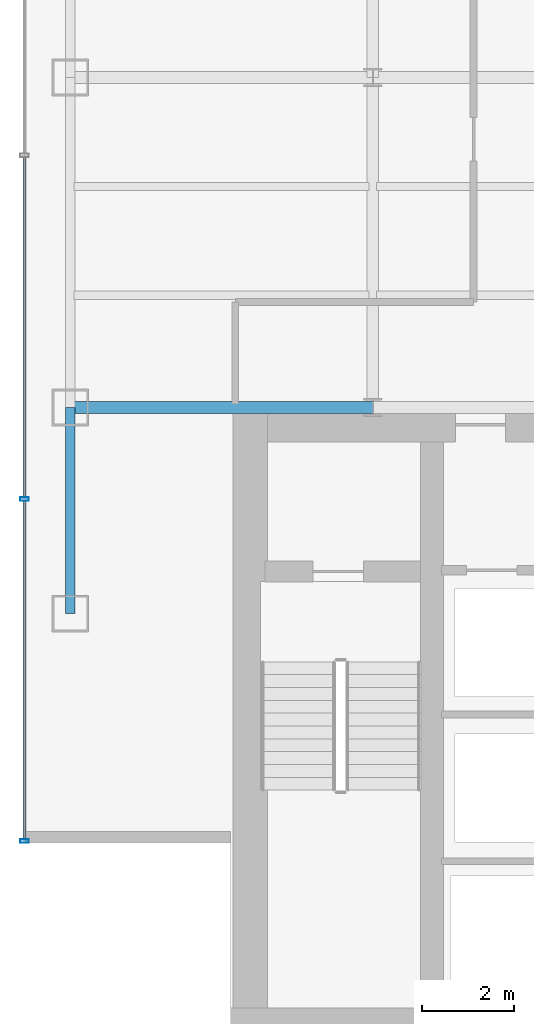
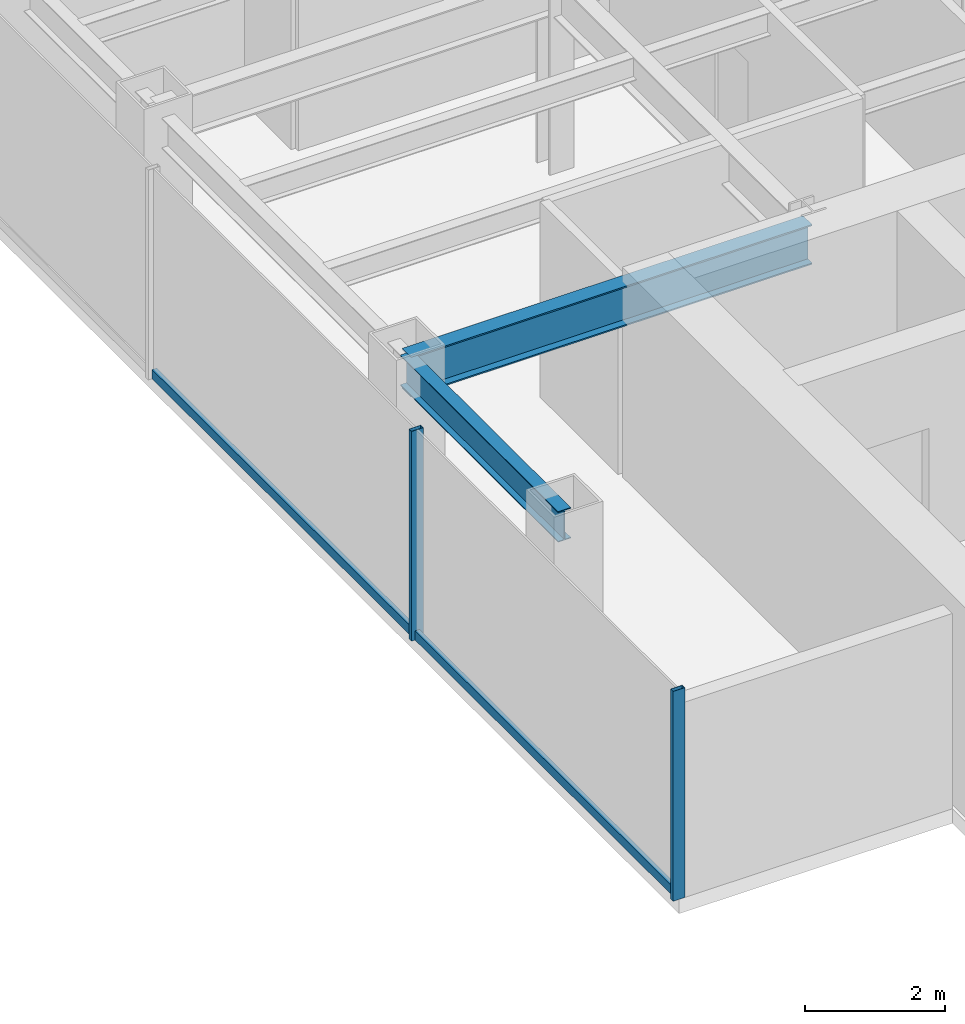
# One storey, part 2 of 25: 4 members, 2 beams, 1 element without a shape of its own.
"""IFC4 building model written with IfcOpenShell, lengths in metres."""

from ifc_helpers import new_model, si_unit, derived_unit, direction, frame, origin, origin_2d, place, context, subcontext, project, spatial, hollow_rectangle, i_section, extrude, source, transform, mapped, material, material_profile, profile_set, type_object, element, aggregate, save


model = new_model("IFC4")

# Units and contexts
model_context = context("Model", 3, precision=1e-05, world=origin(), true_north=direction((0.0, 1.0)))
body_context = subcontext(model_context, "Body", "Model", "MODEL_VIEW")
ifc_project = project(units=[si_unit("LENGTHUNIT", "METRE"), si_unit("AREAUNIT", "SQUARE_METRE"), si_unit("VOLUMEUNIT", "CUBIC_METRE"), si_unit("PLANEANGLEUNIT", "RADIAN"), si_unit("MASSUNIT", "GRAM", prefix="KILO"), derived_unit("THERMALTRANSMITTANCEUNIT", [(si_unit("POWERUNIT", "WATT"), 1), (si_unit("LENGTHUNIT", "METRE"), -2), (si_unit("THERMODYNAMICTEMPERATUREUNIT", "KELVIN"), -1)])], contexts=[model_context])

# Site, building, storey
site_placement = place(None, origin())
site = spatial("IfcSite", under=ifc_project, at=site_placement, CompositionType="ELEMENT")
building_placement = place(site_placement, origin())
building = spatial("IfcBuilding", under=site, at=building_placement, Name="Skarnbrae Concourse Arena and Tower", CompositionType="ELEMENT")
storey_placement = place(building_placement, frame((0.0, 0.0, 88.64990234375)))
storey = spatial("IfcBuildingStorey", under=building, at=storey_placement, Name="L21", CompositionType="ELEMENT", Elevation=88.64990234375)

# Beams
ifc_material_1 = material(Name="Steel CSA G40.21 350W", Category="steel")
ifc_material_profile_1 = material_profile(ifc_material_1, i_section(OverallWidth=0.256103515625, OverallDepth=0.693115234375, WebThickness=0.014404296875, FlangeThickness=0.023681640625, at=origin_2d()), Name="W690X170")
ifc_profile_set_1 = profile_set([ifc_material_profile_1], Name="Steel CSA G40.21 350W")
beam_type_1 = type_object("IfcBeamType", Name="BM-GIRD-W690X170", PredefinedType="BEAM", material=ifc_profile_set_1)
shared_shape_1 = source(origin(), body_context, "Body", "SweptSolid", [
    extrude(i_section(OverallWidth=0.256103515625, OverallDepth=0.693115234375, WebThickness=0.014404296875, FlangeThickness=0.023681640625, at=origin_2d()), origin(), (0.0, 0.0, 1.0), 6.60009765625),
])
beam_1_placement = place(storey_placement, frame((1.0, 14.0, 3.0537109375), z_axis=(1.0, 0.0, 0.0), x_axis=(0.0, 1.0, 0.0)))
element("IfcBeam", 1, at=beam_1_placement, inside=storey, type_object=beam_type_1, Name="L21 Primary E-W girder Y14.0-1", PredefinedType="BEAM", context=body_context, shape_type="MappedRepresentation", body=[
    mapped(shared_shape_1, transform((0.0, 0.0, 0.0))),
])
ifc_material_profile_2 = material_profile(ifc_material_1, i_section(OverallWidth=0.208984375, OverallDepth=0.532958984375, WebThickness=0.01025390625, FlangeThickness=0.015625, at=origin_2d()), Name="W530X92")
ifc_profile_set_2 = profile_set([ifc_material_profile_2], Name="Steel CSA G40.21 350W")
beam_type_2 = type_object("IfcBeamType", Name="BM-SPAN-W530X92", PredefinedType="SPANDREL", material=ifc_profile_set_2)
shared_shape_2 = source(origin(), body_context, "Body", "SweptSolid", [
    extrude(i_section(OverallWidth=0.208984375, OverallDepth=0.532958984375, WebThickness=0.01025390625, FlangeThickness=0.015625, at=origin_2d()), origin(), (0.0, 0.0, 1.0), 4.5),
])
beam_2_placement = place(storey_placement, frame((1.0, 9.5, 3.133544921875), z_axis=(0.0, 1.0, 0.0), x_axis=(-1.0, 0.0, 0.0)))
element("IfcBeam", 2, at=beam_2_placement, inside=storey, type_object=beam_type_2, Name="L21 Perimeter spandrel X1.0-1", PredefinedType="SPANDREL", context=body_context, shape_type="MappedRepresentation", body=[
    mapped(shared_shape_2, transform((0.0, 0.0, 0.0))),
])

# Curtain wall, members
ifc_material_2 = material(Name="Bronze anodised aluminium 6063-T6", Category="aluminium")
curtain_wall_type = type_object("IfcCurtainWallType", Name="CW-SYS-04-MIDZONE", PredefinedType="USERDEFINED", material=ifc_material_2)
curtain_wall_placement = place(storey_placement, origin())
curtain_wall = element("IfcCurtainWall", 3, at=curtain_wall_placement, inside=storey, type_object=curtain_wall_type, Name="L21 Unitised curtain wall CW-L21-E19", ObjectType="UNITISED CURTAIN WALL", PredefinedType="USERDEFINED")
ifc_material_profile_3 = material_profile(ifc_material_2, hollow_rectangle(XDim=0.074951171875, YDim=0.195068359375, WallThickness=0.00439453125, at=origin_2d()), Name="ALU-MULL-75X195")
ifc_profile_set_3 = profile_set([ifc_material_profile_3], Name="Bronze anodised aluminium 6063-T6")
member_type_1 = type_object("IfcMemberType", Name="CWM-CW-04", PredefinedType="MULLION", material=ifc_profile_set_3)
shared_shape_3 = source(origin(), body_context, "Body", "SweptSolid", [
    extrude(hollow_rectangle(XDim=0.074951171875, YDim=0.195068359375, WallThickness=0.00439453125, at=origin_2d()), origin(), (0.0, 0.0, 1.0), 3.650146484375),
])
member_1_placement = place(storey_placement, frame((0.0, 12.0, 0.0), z_axis=(0.0, 0.0, 1.0), x_axis=(0.0, -1.0, 0.0)))
member_1 = element("IfcMember", 4, at=member_1_placement, type_object=member_type_1, Name="CW-L21-E19 Mullion 4", PredefinedType="MULLION", context=body_context, shape_type="MappedRepresentation", body=[
    mapped(shared_shape_3, transform((0.0, 0.0, 0.0))),
])
member_2_placement = place(storey_placement, frame((0.0, 4.53759765625, 0.0), z_axis=(0.0, 0.0, 1.0), x_axis=(0.0, -1.0, 0.0)))
member_2 = element("IfcMember", 5, at=member_2_placement, type_object=member_type_1, Name="CW-L21-E19 Mullion 5", PredefinedType="MULLION", context=body_context, shape_type="MappedRepresentation", body=[
    mapped(shared_shape_3, transform((0.0, 0.0, 0.0))),
])
ifc_material_profile_4 = material_profile(ifc_material_2, hollow_rectangle(XDim=0.074951171875, YDim=0.159912109375, WallThickness=0.00439453125, at=origin_2d()), Name="ALU-TRAN-75X160")
ifc_profile_set_4 = profile_set([ifc_material_profile_4], Name="Bronze anodised aluminium 6063-T6")
member_type_2 = type_object("IfcMemberType", Name="CWT-CW-04", PredefinedType="USERDEFINED", material=ifc_profile_set_4)
shared_shape_4 = source(origin(), body_context, "Body", "SweptSolid", [
    extrude(hollow_rectangle(XDim=0.074951171875, YDim=0.159912109375, WallThickness=0.00439453125, at=origin_2d()), origin(), (0.0, 0.0, 1.0), 7.387451171875),
])
member_3_placement = place(storey_placement, frame((0.0, 11.96240234375, 0.080078125), z_axis=(0.0, -1.0, 0.0), x_axis=(1.0, 0.0, 0.0)))
member_3 = element("IfcMember", 6, at=member_3_placement, type_object=member_type_2, Name="CW-L21-E19 Transom 4", ObjectType="TRANSOM", PredefinedType="USERDEFINED", context=body_context, shape_type="MappedRepresentation", body=[
    mapped(shared_shape_4, transform((0.0, 0.0, 0.0))),
])
shared_shape_5 = source(origin(), body_context, "Body", "SweptSolid", [
    extrude(hollow_rectangle(XDim=0.074951171875, YDim=0.159912109375, WallThickness=0.00439453125, at=origin_2d()), origin(), (0.0, 0.0, 1.0), 7.4248046875),
])
member_4_placement = place(storey_placement, frame((0.0, 19.46240234375, 0.080078125), z_axis=(0.0, -1.0, 0.0), x_axis=(1.0, 0.0, 0.0)))
member_4 = element("IfcMember", 7, at=member_4_placement, type_object=member_type_2, Name="CW-L21-E19 Transom 3", ObjectType="TRANSOM", PredefinedType="USERDEFINED", context=body_context, shape_type="MappedRepresentation", body=[
    mapped(shared_shape_5, transform((0.0, 0.0, 0.0))),
])
aggregate(curtain_wall, [member_1, member_2, member_4, member_3])

save(model, "model.ifc")
